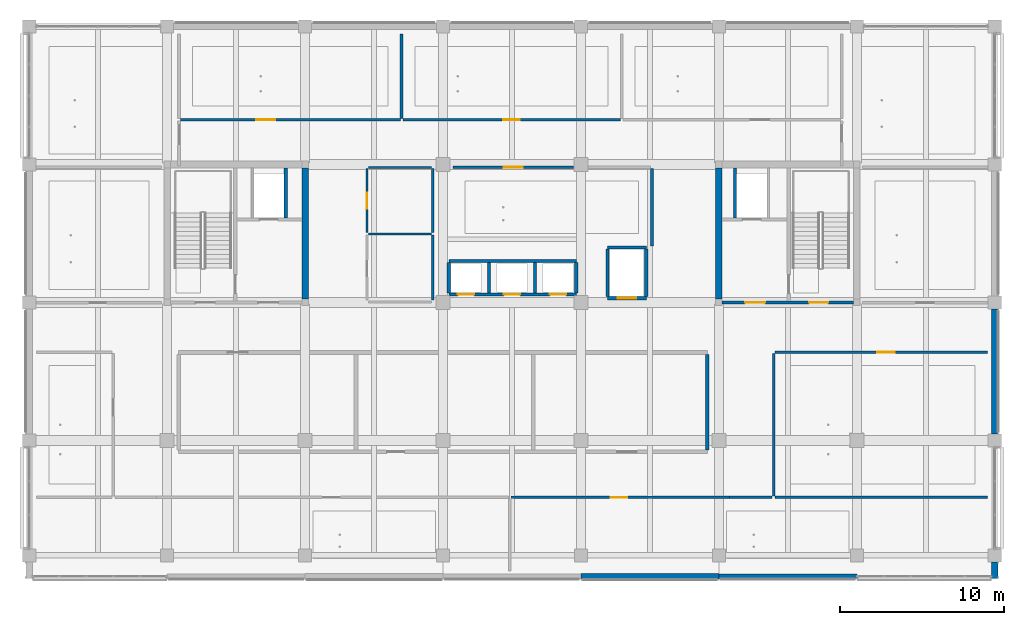
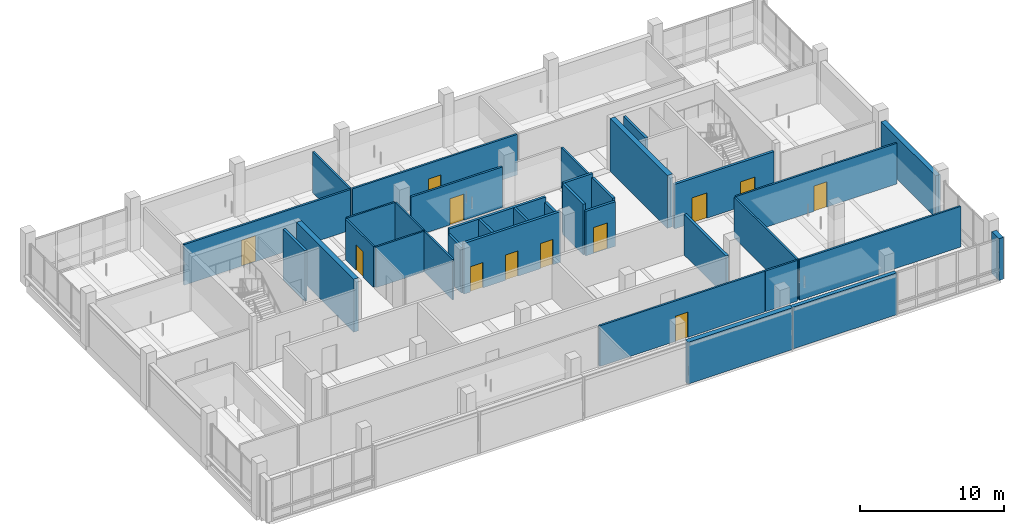
# One storey, part 12 of 35: 35 walls, 12 doors, 12 openings.
"""IFC4 building model written with IfcOpenShell, lengths in metres."""

from ifc_helpers import new_model, si_unit, direction, frame, frame_2d, origin, place, context, subcontext, project, spatial, rectangle, extrude, material, layer, layer_set, type_object, element, fill, save


model = new_model("IFC4")

# Units and contexts
model_context = context("Model", 3, precision=1e-05, world=origin(), true_north=direction((0.0, 1.0)))
body_context = subcontext(model_context, "Body", "Model", "MODEL_VIEW")
ifc_project = project(units=[si_unit("LENGTHUNIT", "METRE"), si_unit("AREAUNIT", "SQUARE_METRE"), si_unit("VOLUMEUNIT", "CUBIC_METRE"), si_unit("PLANEANGLEUNIT", "RADIAN"), si_unit("MASSUNIT", "GRAM", prefix="KILO")], contexts=[model_context])

# Site, building, storey
site_placement = place(None, origin())
site = spatial("IfcSite", under=ifc_project, at=site_placement, CompositionType="ELEMENT")
building_placement = place(site_placement, origin())
building = spatial("IfcBuilding", under=site, at=building_placement, Name="Telukmera Botanical Conservatory", CompositionType="ELEMENT")
storey_placement = place(building_placement, frame((0.0, 0.0, 28.5)))
storey = spatial("IfcBuildingStorey", under=building, at=storey_placement, Name="L06", CompositionType="ELEMENT", Elevation=28.5)

# Walls
ifc_material_1 = material(Name="Terracotta-faced precast concrete C40/50", Category="masonry")
ifc_layer_1 = layer(ifc_material_1, 0.3798828125)
ifc_layer_set_1 = layer_set([ifc_layer_1], Name="Terracotta-faced precast concrete C40/50")
wall_type_1 = type_object("IfcWallType", Name="Exterior Herbarium Vault Insulated Precast Wall 380", PredefinedType="SOLIDWALL", material=ifc_layer_set_1)
wall_1_placement = place(storey_placement, frame((109.199951171875, 9.199951171875, 0.0), z_axis=(0.0, 0.0, 1.0), x_axis=(0.0, 1.0, 0.0)))
element("IfcWall", 1, at=wall_1_placement, inside=storey, type_object=wall_type_1, Name="Exterior Precast Wall EW04 V4:L06:SEC", PredefinedType="SOLIDWALL", context=body_context, shape_type="SweptSolid", body=[
    extrude(rectangle(XDim=0.998046875, YDim=0.3798828125, at=frame_2d((0.4990234375, 0.0))), origin(), (0.0, 0.0, 1.0), 3.550048828125),
])
wall_2_placement = place(storey_placement, frame((84.001953125, 9.320068359375, 0.0), z_axis=(0.0, 0.0, 1.0), x_axis=(1.0, 0.0, 0.0)))
element("IfcWall", 2, at=wall_2_placement, inside=storey, type_object=wall_type_1, Name="Exterior Precast Wall EW04 V4:L06:S5", PredefinedType="SOLIDWALL", context=body_context, shape_type="SweptSolid", body=[
    extrude(rectangle(XDim=8.39599609375, YDim=0.3798828125, at=frame_2d((4.197998046875, 0.0))), origin(), (0.0, 0.0, 1.0), 3.550048828125),
])
wall_3_placement = place(storey_placement, frame((109.199951171875, 18.001953125, 0.0), z_axis=(0.0, 0.0, 1.0), x_axis=(0.0, 1.0, 0.0)))
element("IfcWall", 3, at=wall_3_placement, inside=storey, type_object=wall_type_1, Name="Exterior Precast Wall EW04 V4:L06:E2", PredefinedType="SOLIDWALL", context=body_context, shape_type="SweptSolid", body=[
    extrude(rectangle(XDim=7.595947265625, YDim=0.3798828125, at=frame_2d((3.7978515625, 0.0))), origin(), (0.0, 0.0, 1.0), 3.550048828125),
])
ifc_layer_2 = layer(ifc_material_1, 0.300048828125)
ifc_layer_set_2 = layer_set([ifc_layer_2], Name="Terracotta-faced precast concrete C40/50")
wall_type_2 = type_object("IfcWallType", Name="Exterior Polychrome Terracotta Precast Wall 300", PredefinedType="SOLIDWALL", material=ifc_layer_set_2)
wall_4_placement = place(storey_placement, frame((92.402099609375, 9.320068359375, 0.0), z_axis=(0.0, 0.0, 1.0), x_axis=(1.0, 0.0, 0.0)))
element("IfcWall", 4, at=wall_4_placement, inside=storey, type_object=wall_type_2, Name="Exterior Precast Wall EW02 V4:L06:S6", PredefinedType="SOLIDWALL", context=body_context, shape_type="SweptSolid", body=[
    extrude(rectangle(XDim=8.39599609375, YDim=0.300048828125, at=frame_2d((4.197998046875, 0.0))), origin(), (0.0, 0.0, 1.0), 3.550048828125),
])
ifc_material_2 = material(Name="Concrete C40/50", Category="concrete")
ifc_layer_3 = layer(ifc_material_2, 0.199951171875)
ifc_layer_set_3 = layer_set([ifc_layer_3], Name="Concrete C40/50")
wall_type_3 = type_object("IfcWallType", Name="WT-CORE-200", PredefinedType="SOLIDWALL", material=ifc_layer_set_3)
wall_5_placement = place(storey_placement, frame((66.02001953125, 31.14990234375, 0.0), z_axis=(0.0, 0.0, 1.0), x_axis=(0.0, 1.0, 0.0)))
element("IfcWall", 5, at=wall_5_placement, inside=storey, type_object=wall_type_3, Name="L06 Fire Lift FL1 Shaft East Wall", PredefinedType="SOLIDWALL", context=body_context, shape_type="SweptSolid", body=[
    extrude(rectangle(XDim=3.050048828125, YDim=0.199951171875, at=frame_2d((1.52490234375, 0.0))), origin(), (0.0, 0.0, 1.0), 4.300048828125),
])

# Wall, openings, doors
wall_6_placement = place(storey_placement, frame((92.60009765625, 26.0, 0.0), z_axis=(0.0, 0.0, 1.0), x_axis=(1.0, 0.0, 0.0)))
wall_6 = element("IfcWall", 6, at=wall_6_placement, inside=storey, type_object=wall_type_3, Name="L06 Core C2 South Fire Wall", PredefinedType="SOLIDWALL", context=body_context, shape_type="SweptSolid", body=[
    extrude(rectangle(XDim=8.0, YDim=0.199951171875, at=frame_2d((4.0, 0.0))), origin(), (0.0, 0.0, 1.0), 3.780029296875),
])
opening_1_placement = place(wall_6_placement, frame((1.39990234375, 0.0, 0.0)))
opening_1 = element("IfcOpeningElement", 7, at=opening_1_placement, cuts=wall_6, Name="Opening FD60C", PredefinedType="OPENING", context=body_context, shape_type="SweptSolid", body=[
    extrude(rectangle(XDim=1.219970703125, YDim=2.14990234375, at=frame_2d((0.60986328125, 1.074951171875))), frame((0.0, 0.10986328125, 0.0), z_axis=(0.0, -1.0, 0.0), x_axis=(1.0, 0.0, 0.0)), (0.0, 0.0, 1.0), 0.219970703125),
])
opening_2_placement = place(wall_6_placement, frame((5.300048828125, 0.0, 0.0)))
opening_2 = element("IfcOpeningElement", 8, at=opening_2_placement, cuts=wall_6, Name="Opening FD60A", PredefinedType="OPENING", context=body_context, shape_type="SweptSolid", body=[
    extrude(rectangle(XDim=1.14990234375, YDim=2.14990234375, at=frame_2d((0.574951171875, 1.074951171875))), frame((0.0, 0.10986328125, 0.0), z_axis=(0.0, -1.0, 0.0), x_axis=(1.0, 0.0, 0.0)), (0.0, 0.0, 1.0), 0.219970703125),
])
ifc_material_3 = material(Name="Hardwood fire door", Category="wood")
door_type_1 = type_object("IfcDoorType", Name="DT-FD60-01", OperationType="NOTDEFINED", PredefinedType="DOOR", material=ifc_material_3)
door_1_placement = place(opening_2_placement, origin())
door_1 = element("IfcDoor", 9, at=door_1_placement, inside=storey, type_object=door_type_1, Name="L06 Stair ST2 Escape Door", OperationType="SINGLE_SWING_LEFT", OverallHeight=2.14990234375, OverallWidth=1.14990234375, PredefinedType="DOOR", context=body_context, shape_type="SweptSolid", body=[
    extrude(rectangle(XDim=1.14990234375, YDim=2.14990234375, at=frame_2d((0.574951171875, 1.074951171875))), frame((0.0, 0.02490234375, 0.0), z_axis=(0.0, -1.0, 0.0), x_axis=(1.0, 0.0, 0.0)), (0.0, 0.0, 1.0), 0.050048828125),
])
fill(opening_2, door_1)
door_type_2 = type_object("IfcDoorType", Name="DT-FD60-03", OperationType="NOTDEFINED", PredefinedType="DOOR", material=ifc_material_3)
door_2_placement = place(opening_1_placement, origin())
door_2 = element("IfcDoor", 10, at=door_2_placement, inside=storey, type_object=door_type_2, Name="L06 Firefighting Lobby C2 Door", OperationType="SINGLE_SWING_RIGHT", OverallHeight=2.14990234375, OverallWidth=1.219970703125, PredefinedType="DOOR", context=body_context, shape_type="SweptSolid", body=[
    extrude(rectangle(XDim=1.219970703125, YDim=2.14990234375, at=frame_2d((0.60986328125, 1.074951171875))), frame((0.0, 0.02490234375, 0.0), z_axis=(0.0, -1.0, 0.0), x_axis=(1.0, 0.0, 0.0)), (0.0, 0.0, 1.0), 0.050048828125),
])
fill(opening_1, door_2)

# Wall
wall_7_placement = place(storey_placement, frame((93.3798828125, 31.14990234375, 0.0), z_axis=(0.0, 0.0, 1.0), x_axis=(0.0, 1.0, 0.0)))
element("IfcWall", 11, at=wall_7_placement, inside=storey, type_object=wall_type_3, Name="L06 Fire Lift FL2 Shaft West Wall", PredefinedType="SOLIDWALL", context=body_context, shape_type="SweptSolid", body=[
    extrude(rectangle(XDim=3.050048828125, YDim=0.199951171875, at=frame_2d((1.52490234375, 0.0))), origin(), (0.0, 0.0, 1.0), 4.300048828125),
])

# Wall, openings, doors
wall_8_placement = place(storey_placement, frame((75.949951171875, 26.47998046875, 0.0), z_axis=(0.0, 0.0, 1.0), x_axis=(1.0, 0.0, 0.0)))
wall_8 = element("IfcWall", 12, at=wall_8_placement, inside=storey, type_object=wall_type_3, Name="L06 Passenger Lift Bank Front Wall", PredefinedType="SOLIDWALL", context=body_context, shape_type="SweptSolid", body=[
    extrude(rectangle(XDim=7.77001953125, YDim=0.199951171875, at=frame_2d((3.885009765625, 0.0))), origin(), (0.0, 0.0, 1.0), 4.300048828125),
])
opening_3_placement = place(wall_8_placement, frame((0.550048828125, 0.0, 0.0)))
opening_3 = element("IfcOpeningElement", 13, at=opening_3_placement, cuts=wall_8, Name="Opening LD03", PredefinedType="OPENING", context=body_context, shape_type="SweptSolid", body=[
    extrude(rectangle(XDim=1.0, YDim=2.14990234375, at=frame_2d((0.5, 1.074951171875))), frame((0.0, 0.10986328125, 0.0), z_axis=(0.0, -1.0, 0.0), x_axis=(1.0, 0.0, 0.0)), (0.0, 0.0, 1.0), 0.219970703125),
])
opening_4_placement = place(wall_8_placement, frame((3.35009765625, 0.0, 0.0)))
opening_4 = element("IfcOpeningElement", 14, at=opening_4_placement, cuts=wall_8, Name="Opening LD03", PredefinedType="OPENING", context=body_context, shape_type="SweptSolid", body=[
    extrude(rectangle(XDim=1.0, YDim=2.14990234375, at=frame_2d((0.5, 1.074951171875))), frame((0.0, 0.10986328125, 0.0), z_axis=(0.0, -1.0, 0.0), x_axis=(1.0, 0.0, 0.0)), (0.0, 0.0, 1.0), 0.219970703125),
])
opening_5_placement = place(wall_8_placement, frame((6.14990234375, 0.0, 0.0)))
opening_5 = element("IfcOpeningElement", 15, at=opening_5_placement, cuts=wall_8, Name="Opening LD03", PredefinedType="OPENING", context=body_context, shape_type="SweptSolid", body=[
    extrude(rectangle(XDim=1.0, YDim=2.14990234375, at=frame_2d((0.5, 1.074951171875))), frame((0.0, 0.10986328125, 0.0), z_axis=(0.0, -1.0, 0.0), x_axis=(1.0, 0.0, 0.0)), (0.0, 0.0, 1.0), 0.219970703125),
])
ifc_material_4 = material(Name="Stainless steel 316", Category="steel")
door_type_3 = type_object("IfcDoorType", Name="DT-LD03", OperationType="SLIDING_TO_LEFT", PredefinedType="DOOR", material=ifc_material_4)
door_3_placement = place(opening_3_placement, frame((1.0, 0.0, 0.0), z_axis=(0.0, 0.0, 1.0), x_axis=(-1.0, 0.0, 0.0)))
door_3 = element("IfcDoor", 16, at=door_3_placement, inside=storey, type_object=door_type_3, Name="L06 Lift Landing Door PL1", OperationType="SLIDING_TO_LEFT", OverallHeight=2.14990234375, OverallWidth=1.0, PredefinedType="DOOR", context=body_context, shape_type="SweptSolid", body=[
    extrude(rectangle(XDim=1.0, YDim=2.14990234375, at=frame_2d((0.5, 1.074951171875))), frame((0.0, 0.02490234375, 0.0), z_axis=(0.0, -1.0, 0.0), x_axis=(1.0, 0.0, 0.0)), (0.0, 0.0, 1.0), 0.050048828125),
])
fill(opening_3, door_3)
door_4_placement = place(opening_4_placement, frame((1.0, 0.0, 0.0), z_axis=(0.0, 0.0, 1.0), x_axis=(-1.0, 0.0, 0.0)))
door_4 = element("IfcDoor", 17, at=door_4_placement, inside=storey, type_object=door_type_3, Name="L06 Lift Landing Door PL2", OperationType="SLIDING_TO_LEFT", OverallHeight=2.14990234375, OverallWidth=1.0, PredefinedType="DOOR", context=body_context, shape_type="SweptSolid", body=[
    extrude(rectangle(XDim=1.0, YDim=2.14990234375, at=frame_2d((0.5, 1.074951171875))), frame((0.0, 0.02490234375, 0.0), z_axis=(0.0, -1.0, 0.0), x_axis=(1.0, 0.0, 0.0)), (0.0, 0.0, 1.0), 0.050048828125),
])
fill(opening_4, door_4)
door_5_placement = place(opening_5_placement, frame((1.0, 0.0, 0.0), z_axis=(0.0, 0.0, 1.0), x_axis=(-1.0, 0.0, 0.0)))
door_5 = element("IfcDoor", 18, at=door_5_placement, inside=storey, type_object=door_type_3, Name="L06 Lift Landing Door PL3", OperationType="SLIDING_TO_LEFT", OverallHeight=2.14990234375, OverallWidth=1.0, PredefinedType="DOOR", context=body_context, shape_type="SweptSolid", body=[
    extrude(rectangle(XDim=1.0, YDim=2.14990234375, at=frame_2d((0.5, 1.074951171875))), frame((0.0, 0.02490234375, 0.0), z_axis=(0.0, -1.0, 0.0), x_axis=(1.0, 0.0, 0.0)), (0.0, 0.0, 1.0), 0.050048828125),
])
fill(opening_5, door_5)

# Walls
wall_9_placement = place(storey_placement, frame((75.949951171875, 28.52001953125, 0.0), z_axis=(0.0, 0.0, 1.0), x_axis=(1.0, 0.0, 0.0)))
element("IfcWall", 19, at=wall_9_placement, inside=storey, type_object=wall_type_3, Name="L06 Passenger Lift Bank Rear Wall", PredefinedType="SOLIDWALL", context=body_context, shape_type="SweptSolid", body=[
    extrude(rectangle(XDim=7.77001953125, YDim=0.199951171875, at=frame_2d((3.885009765625, 0.0))), origin(), (0.0, 0.0, 1.0), 4.300048828125),
])
wall_10_placement = place(storey_placement, frame((75.949951171875, 26.580078125, 0.0), z_axis=(0.0, 0.0, 1.0), x_axis=(0.0, 1.0, 0.0)))
element("IfcWall", 20, at=wall_10_placement, inside=storey, type_object=wall_type_3, Name="L06 Passenger Lift Shaft Wall 1", PredefinedType="SOLIDWALL", context=body_context, shape_type="SweptSolid", body=[
    extrude(rectangle(XDim=1.83984375, YDim=0.199951171875, at=frame_2d((0.919921875, 0.0))), origin(), (0.0, 0.0, 1.0), 3.8798828125),
])
for number, where, z_axis, x_axis, name in (
    (21, (78.39990234375, 26.580078125, 0.0), (0.0, 0.0, 1.0), (0.0, 1.0, 0.0), "L06 Passenger Lift Shaft Wall 2"),
    (22, (81.199951171875, 26.580078125, 0.0), (0.0, 0.0, 1.0), (0.0, 1.0, 0.0), "L06 Passenger Lift Shaft Wall 3"),
):
    element("IfcWall", number, at=place(storey_placement, frame(where, z_axis=z_axis, x_axis=x_axis)), inside=storey, type_object=wall_type_3, Name=name, PredefinedType="SOLIDWALL", context=body_context, shape_type="SweptSolid", body=[
        extrude(rectangle(XDim=1.83984375, YDim=0.199951171875, at=frame_2d((0.919921875, 0.0))), origin(), (0.0, 0.0, 1.0), 4.300048828125),
    ])
wall_11_placement = place(storey_placement, frame((83.719970703125, 26.580078125, 0.0), z_axis=(0.0, 0.0, 1.0), x_axis=(0.0, 1.0, 0.0)))
element("IfcWall", 23, at=wall_11_placement, inside=storey, type_object=wall_type_3, Name="L06 Passenger Lift Shaft Wall 4", PredefinedType="SOLIDWALL", context=body_context, shape_type="SweptSolid", body=[
    extrude(rectangle(XDim=1.83984375, YDim=0.199951171875, at=frame_2d((0.919921875, 0.0))), origin(), (0.0, 0.0, 1.0), 3.8798828125),
])

# Wall, opening, door
wall_12_placement = place(storey_placement, frame((85.6201171875, 26.25, 0.0), z_axis=(0.0, 0.0, 1.0), x_axis=(1.0, 0.0, 0.0)))
wall_12 = element("IfcWall", 24, at=wall_12_placement, inside=storey, type_object=wall_type_3, Name="L06 Goods Lift GL1 Front Wall", PredefinedType="SOLIDWALL", context=body_context, shape_type="SweptSolid", body=[
    extrude(rectangle(XDim=2.35986328125, YDim=0.199951171875, at=frame_2d((1.179931640625, 0.0))), origin(), (0.0, 0.0, 1.0), 3.780029296875),
])
opening_6_placement = place(wall_12_placement, frame((0.60498046875, 0.0, 0.0)))
opening_6 = element("IfcOpeningElement", 25, at=opening_6_placement, cuts=wall_12, Name="Opening LD02", PredefinedType="OPENING", context=body_context, shape_type="SweptSolid", body=[
    extrude(rectangle(XDim=1.14990234375, YDim=2.199951171875, at=frame_2d((0.574951171875, 1.10009765625))), frame((0.0, 0.10986328125, 0.0), z_axis=(0.0, -1.0, 0.0), x_axis=(1.0, 0.0, 0.0)), (0.0, 0.0, 1.0), 0.219970703125),
])
door_type_4 = type_object("IfcDoorType", Name="DT-LD02", OperationType="SLIDING_TO_LEFT", PredefinedType="DOOR", material=ifc_material_4)
door_6_placement = place(opening_6_placement, frame((1.14990234375, 0.0, 0.0), z_axis=(0.0, 0.0, 1.0), x_axis=(-1.0, 0.0, 0.0)))
door_6 = element("IfcDoor", 26, at=door_6_placement, inside=storey, type_object=door_type_4, Name="L06 Lift Landing Door GL1", OperationType="SLIDING_TO_LEFT", OverallHeight=2.199951171875, OverallWidth=1.14990234375, PredefinedType="DOOR", context=body_context, shape_type="SweptSolid", body=[
    extrude(rectangle(XDim=1.14990234375, YDim=2.199951171875, at=frame_2d((0.574951171875, 1.10009765625))), frame((0.0, 0.02490234375, 0.0), z_axis=(0.0, -1.0, 0.0), x_axis=(1.0, 0.0, 0.0)), (0.0, 0.0, 1.0), 0.050048828125),
])
fill(opening_6, door_6)

# Walls
wall_13_placement = place(storey_placement, frame((85.6201171875, 29.35009765625, 0.0), z_axis=(0.0, 0.0, 1.0), x_axis=(1.0, 0.0, 0.0)))
element("IfcWall", 27, at=wall_13_placement, inside=storey, type_object=wall_type_3, Name="L06 Goods Lift GL1 Rear Wall", PredefinedType="SOLIDWALL", context=body_context, shape_type="SweptSolid", body=[
    extrude(rectangle(XDim=2.35986328125, YDim=0.199951171875, at=frame_2d((1.179931640625, 0.0))), origin(), (0.0, 0.0, 1.0), 4.300048828125),
])
wall_14_placement = place(storey_placement, frame((85.6201171875, 26.35009765625, 0.0), z_axis=(0.0, 0.0, 1.0), x_axis=(0.0, 1.0, 0.0)))
element("IfcWall", 28, at=wall_14_placement, inside=storey, type_object=wall_type_3, Name="L06 Goods Lift GL1 Side Wall 1", PredefinedType="SOLIDWALL", context=body_context, shape_type="SweptSolid", body=[
    extrude(rectangle(XDim=2.89990234375, YDim=0.199951171875, at=frame_2d((1.449951171875, 0.0))), origin(), (0.0, 0.0, 1.0), 4.300048828125),
])
wall_15_placement = place(storey_placement, frame((87.97998046875, 26.35009765625, 0.0), z_axis=(0.0, 0.0, 1.0), x_axis=(0.0, 1.0, 0.0)))
element("IfcWall", 29, at=wall_15_placement, inside=storey, type_object=wall_type_3, Name="L06 Goods Lift GL1 Side Wall 2", PredefinedType="SOLIDWALL", context=body_context, shape_type="SweptSolid", body=[
    extrude(rectangle(XDim=2.89990234375, YDim=0.199951171875, at=frame_2d((1.449951171875, 0.0))), origin(), (0.0, 0.0, 1.0), 3.97998046875),
])
ifc_material_5 = material(Name="Gypsum acoustic stud partition")
ifc_layer_4 = layer(ifc_material_5, 0.159912109375)
ifc_layer_set_4 = layer_set([ifc_layer_4], Name="Gypsum acoustic stud partition")
wall_type_4 = type_object("IfcWallType", Name="WT-LAB-160", PredefinedType="PARTITIONING", material=ifc_layer_set_4)
wall_16_placement = place(storey_placement, frame((88.324951171875, 29.449951171875, 0.0), z_axis=(0.0, 0.0, 1.0), x_axis=(0.0, 1.0, 0.0)))
element("IfcWall", 30, at=wall_16_placement, inside=storey, type_object=wall_type_4, Name="L06 Interior Partition 06", PredefinedType="PARTITIONING", context=body_context, shape_type="SweptSolid", body=[
    extrude(rectangle(XDim=4.699951171875, YDim=0.159912109375, at=frame_2d((2.35009765625, 0.0))), origin(), (0.0, 0.0, 1.0), 3.449951171875),
])

# Wall, opening, door
wall_17_placement = place(storey_placement, frame((76.199951171875, 34.22509765625, 0.0), z_axis=(0.0, 0.0, 1.0), x_axis=(1.0, 0.0, 0.0)))
wall_17 = element("IfcWall", 31, at=wall_17_placement, inside=storey, type_object=wall_type_4, Name="L06 Interior Partition 07", PredefinedType="PARTITIONING", context=body_context, shape_type="SweptSolid", body=[
    extrude(rectangle(XDim=7.344970703125, YDim=0.159912109375, at=frame_2d((3.67236328125, 0.0))), origin(), (0.0, 0.0, 1.0), 3.449951171875),
])
opening_7_placement = place(wall_17_placement, frame((3.1025390625, 0.0, 0.0)))
opening_7 = element("IfcOpeningElement", 32, at=opening_7_placement, cuts=wall_17, Name="Opening ID10", PredefinedType="OPENING", context=body_context, shape_type="SweptSolid", body=[
    extrude(rectangle(XDim=1.139892578125, YDim=2.219970703125, at=frame_2d((0.56982421875, 1.10986328125))), frame((0.0, 0.08984375, 0.0), z_axis=(0.0, -1.0, 0.0), x_axis=(1.0, 0.0, 0.0)), (0.0, 0.0, 1.0), 0.179931640625),
])
ifc_material_6 = material(Name="Sealed steel herbarium door", Category="steel")
door_type_5 = type_object("IfcDoorType", Name="DT-HERB-114", OperationType="NOTDEFINED", PredefinedType="DOOR", material=ifc_material_6)
door_7_placement = place(opening_7_placement, frame((1.139892578125, 0.0, 0.0), z_axis=(0.0, 0.0, 1.0), x_axis=(-1.0, 0.0, 0.0)))
door_7 = element("IfcDoor", 33, at=door_7_placement, inside=storey, type_object=door_type_5, Name="L06 Botanical Archive Conservation Room Door", OperationType="SINGLE_SWING_LEFT", OverallHeight=2.219970703125, OverallWidth=1.139892578125, PredefinedType="DOOR", context=body_context, shape_type="SweptSolid", body=[
    extrude(rectangle(XDim=1.139892578125, YDim=2.219970703125, at=frame_2d((0.56982421875, 1.10986328125))), frame((0.0, 0.02490234375, 0.0), z_axis=(0.0, -1.0, 0.0), x_axis=(1.0, 0.0, 0.0)), (0.0, 0.0, 1.0), 0.050048828125),
])
fill(opening_7, door_7)

wall_18_placement = place(storey_placement, frame((59.614990234375, 37.125, 0.0), z_axis=(0.0, 0.0, 1.0), x_axis=(1.0, 0.0, 0.0)))
wall_18 = element("IfcWall", 34, at=wall_18_placement, inside=storey, type_object=wall_type_4, Name="L06 Interior Partition 25", PredefinedType="PARTITIONING", context=body_context, shape_type="SweptSolid", body=[
    extrude(rectangle(XDim=13.385009765625, YDim=0.159912109375, at=frame_2d((6.6923828125, 0.0))), origin(), (0.0, 0.0, 1.0), 3.449951171875),
])
opening_8_placement = place(wall_18_placement, frame((4.609375, 0.0, 0.0)))
opening_8 = element("IfcOpeningElement", 35, at=opening_8_placement, cuts=wall_18, Name="Opening ID09", PredefinedType="OPENING", context=body_context, shape_type="SweptSolid", body=[
    extrude(rectangle(XDim=1.159912109375, YDim=2.199951171875, at=frame_2d((0.580078125, 1.10009765625))), frame((0.0, 0.08984375, 0.0), z_axis=(0.0, -1.0, 0.0), x_axis=(1.0, 0.0, 0.0)), (0.0, 0.0, 1.0), 0.179931640625),
])
ifc_material_7 = material(Name="Phenolic faced laboratory fire door")
door_type_6 = type_object("IfcDoorType", Name="DT-LAB-116", OperationType="NOTDEFINED", PredefinedType="DOOR", material=ifc_material_7)
door_8_placement = place(opening_8_placement, origin())
door_8 = element("IfcDoor", 36, at=door_8_placement, inside=storey, type_object=door_type_6, Name="L06 Seed Morphology Laboratory Door", OperationType="SINGLE_SWING_LEFT", OverallHeight=2.199951171875, OverallWidth=1.159912109375, PredefinedType="DOOR", context=body_context, shape_type="SweptSolid", body=[
    extrude(rectangle(XDim=1.159912109375, YDim=2.199951171875, at=frame_2d((0.580078125, 1.10009765625))), frame((0.0, 0.02490234375, 0.0), z_axis=(0.0, -1.0, 0.0), x_axis=(1.0, 0.0, 0.0)), (0.0, 0.0, 1.0), 0.050048828125),
])
fill(opening_8, door_8)

# Wall
wall_19_placement = place(storey_placement, frame((73.074951171875, 37.215087890625, 0.0), z_axis=(0.0, 0.0, 1.0), x_axis=(0.0, 1.0, 0.0)))
element("IfcWall", 37, at=wall_19_placement, inside=storey, type_object=wall_type_4, Name="L06 Interior Partition 30", PredefinedType="PARTITIONING", context=body_context, shape_type="SweptSolid", body=[
    extrude(rectangle(XDim=5.135009765625, YDim=0.159912109375, at=frame_2d((2.5673828125, 0.0))), origin(), (0.0, 0.0, 1.0), 3.449951171875),
])

# Wall, opening, door
ifc_layer_5 = layer(ifc_material_5, 0.14990234375)
ifc_layer_set_5 = layer_set([ifc_layer_5], Name="Gypsum acoustic stud partition")
wall_type_5 = type_object("IfcWallType", Name="WT-STD-150", PredefinedType="PARTITIONING", material=ifc_layer_set_5)
wall_20_placement = place(storey_placement, frame((95.800048828125, 22.97509765625, 0.0), z_axis=(0.0, 0.0, 1.0), x_axis=(1.0, 0.0, 0.0)))
wall_20 = element("IfcWall", 38, at=wall_20_placement, inside=storey, type_object=wall_type_5, Name="L06 Interior Partition 14", PredefinedType="PARTITIONING", context=body_context, shape_type="SweptSolid", body=[
    extrude(rectangle(XDim=12.949951171875, YDim=0.14990234375, at=frame_2d((6.47509765625, 0.0))), origin(), (0.0, 0.0, 1.0), 3.449951171875),
])
opening_9_placement = place(wall_20_placement, frame((6.25537109375, 0.0, 0.0)))
opening_9 = element("IfcOpeningElement", 39, at=opening_9_placement, cuts=wall_20, Name="Opening ID13", PredefinedType="OPENING", context=body_context, shape_type="SweptSolid", body=[
    extrude(rectangle(XDim=1.0400390625, YDim=2.14990234375, at=frame_2d((0.52001953125, 1.074951171875))), frame((0.0, 0.0849609375, 0.0), z_axis=(0.0, -1.0, 0.0), x_axis=(1.0, 0.0, 0.0)), (0.0, 0.0, 1.0), 0.169921875),
])
ifc_material_8 = material(Name="Hardwood curation studio door", Category="wood")
door_type_7 = type_object("IfcDoorType", Name="DT-CUR-104", OperationType="NOTDEFINED", PredefinedType="DOOR", material=ifc_material_8)
door_9_placement = place(opening_9_placement, frame((1.0400390625, 0.0, 0.0), z_axis=(0.0, 0.0, 1.0), x_axis=(-1.0, 0.0, 0.0)))
door_9 = element("IfcDoor", 40, at=door_9_placement, inside=storey, type_object=door_type_7, Name="L06 East Herbarium Curation Studio Door", OperationType="SINGLE_SWING_LEFT", OverallHeight=2.14990234375, OverallWidth=1.0400390625, PredefinedType="DOOR", context=body_context, shape_type="SweptSolid", body=[
    extrude(rectangle(XDim=1.0400390625, YDim=2.14990234375, at=frame_2d((0.52001953125, 1.074951171875))), frame((0.0, 0.02490234375, 0.0), z_axis=(0.0, -1.0, 0.0), x_axis=(1.0, 0.0, 0.0)), (0.0, 0.0, 1.0), 0.050048828125),
])
fill(opening_9, door_9)

# Walls
wall_21_placement = place(storey_placement, frame((95.72509765625, 14.199951171875, 0.0), z_axis=(0.0, 0.0, 1.0), x_axis=(0.0, 1.0, 0.0)))
element("IfcWall", 41, at=wall_21_placement, inside=storey, type_object=wall_type_5, Name="L06 Interior Partition 17", PredefinedType="PARTITIONING", context=body_context, shape_type="SweptSolid", body=[
    extrude(rectangle(XDim=8.68994140625, YDim=0.14990234375, at=frame_2d((4.344970703125, 0.0))), origin(), (0.0, 0.0, 1.0), 3.449951171875),
])
wall_22_placement = place(storey_placement, frame((93.050048828125, 14.125, 0.0), z_axis=(0.0, 0.0, 1.0), x_axis=(1.0, 0.0, 0.0)))
element("IfcWall", 42, at=wall_22_placement, inside=storey, type_object=wall_type_5, Name="L06 Interior Partition 18", PredefinedType="PARTITIONING", context=body_context, shape_type="SweptSolid", body=[
    extrude(rectangle(XDim=2.58984375, YDim=0.14990234375, at=frame_2d((1.294921875, 0.0))), origin(), (0.0, 0.0, 1.0), 3.449951171875),
])

# Wall, opening, door
wall_23_placement = place(storey_placement, frame((79.75, 14.125, 0.0), z_axis=(0.0, 0.0, 1.0), x_axis=(1.0, 0.0, 0.0)))
wall_23 = element("IfcWall", 43, at=wall_23_placement, inside=storey, type_object=wall_type_5, Name="L06 Interior Partition 20", PredefinedType="PARTITIONING", context=body_context, shape_type="SweptSolid", body=[
    extrude(rectangle(XDim=13.2900390625, YDim=0.14990234375, at=frame_2d((6.64501953125, 0.0))), origin(), (0.0, 0.0, 1.0), 3.449951171875),
])
opening_10_placement = place(wall_23_placement, frame((6.0703125, 0.0, 0.0)))
opening_10 = element("IfcOpeningElement", 44, at=opening_10_placement, cuts=wall_23, Name="Opening ID14", PredefinedType="OPENING", context=body_context, shape_type="SweptSolid", body=[
    extrude(rectangle(XDim=1.0, YDim=2.14990234375, at=frame_2d((0.5, 1.074951171875))), frame((0.0, 0.0849609375, 0.0), z_axis=(0.0, -1.0, 0.0), x_axis=(1.0, 0.0, 0.0)), (0.0, 0.0, 1.0), 0.169921875),
])
ifc_material_9 = material(Name="Acoustic timber office door", Category="wood")
door_type_8 = type_object("IfcDoorType", Name="DT-WRT-100", OperationType="NOTDEFINED", PredefinedType="DOOR", material=ifc_material_9)
door_10_placement = place(opening_10_placement, frame((1.0, 0.0, 0.0), z_axis=(0.0, 0.0, 1.0), x_axis=(-1.0, 0.0, 0.0)))
door_10 = element("IfcDoor", 45, at=door_10_placement, inside=storey, type_object=door_type_8, Name="L06 Botanical Monograph Write-Up Studio Door", OperationType="SINGLE_SWING_LEFT", OverallHeight=2.14990234375, OverallWidth=1.0, PredefinedType="DOOR", context=body_context, shape_type="SweptSolid", body=[
    extrude(rectangle(XDim=1.0, YDim=2.14990234375, at=frame_2d((0.5, 1.074951171875))), frame((0.0, 0.02490234375, 0.0), z_axis=(0.0, -1.0, 0.0), x_axis=(1.0, 0.0, 0.0)), (0.0, 0.0, 1.0), 0.050048828125),
])
fill(opening_10, door_10)

# Wall
wall_24_placement = place(storey_placement, frame((95.81005859375, 14.125, 0.0), z_axis=(0.0, 0.0, 1.0), x_axis=(1.0, 0.0, 0.0)))
element("IfcWall", 46, at=wall_24_placement, inside=storey, type_object=wall_type_5, Name="L06 Interior Partition 22", PredefinedType="PARTITIONING", context=body_context, shape_type="SweptSolid", body=[
    extrude(rectangle(XDim=12.93994140625, YDim=0.14990234375, at=frame_2d((6.469970703125, 0.0))), origin(), (0.0, 0.0, 1.0), 3.449951171875),
])

# Wall, opening, door
wall_25_placement = place(storey_placement, frame((73.14990234375, 37.125, 0.0), z_axis=(0.0, 0.0, 1.0), x_axis=(1.0, 0.0, 0.0)))
wall_25 = element("IfcWall", 47, at=wall_25_placement, inside=storey, type_object=wall_type_5, Name="L06 Interior Partition 26", PredefinedType="PARTITIONING", context=body_context, shape_type="SweptSolid", body=[
    extrude(rectangle(XDim=13.25, YDim=0.14990234375, at=frame_2d((6.625, 0.0))), origin(), (0.0, 0.0, 1.0), 3.449951171875),
])
opening_11_placement = place(wall_25_placement, frame((6.125, 0.0, 0.0)))
opening_11 = element("IfcOpeningElement", 48, at=opening_11_placement, cuts=wall_25, Name="Opening ID14", PredefinedType="OPENING", context=body_context, shape_type="SweptSolid", body=[
    extrude(rectangle(XDim=1.0, YDim=2.14990234375, at=frame_2d((0.5, 1.074951171875))), frame((0.0, 0.0849609375, 0.0), z_axis=(0.0, -1.0, 0.0), x_axis=(1.0, 0.0, 0.0)), (0.0, 0.0, 1.0), 0.169921875),
])
door_11_placement = place(opening_11_placement, origin())
door_11 = element("IfcDoor", 49, at=door_11_placement, inside=storey, type_object=door_type_8, Name="L06 Herbarium Digitization Studio Door", OperationType="SINGLE_SWING_RIGHT", OverallHeight=2.14990234375, OverallWidth=1.0, PredefinedType="DOOR", context=body_context, shape_type="SweptSolid", body=[
    extrude(rectangle(XDim=1.0, YDim=2.14990234375, at=frame_2d((0.5, 1.074951171875))), frame((0.0, 0.02490234375, 0.0), z_axis=(0.0, -1.0, 0.0), x_axis=(1.0, 0.0, 0.0)), (0.0, 0.0, 1.0), 0.050048828125),
])
fill(opening_11, door_11)

# Wall
ifc_layer_6 = layer(ifc_material_2, 0.219970703125)
ifc_layer_set_6 = layer_set([ifc_layer_6], Name="Concrete C40/50")
wall_type_6 = type_object("IfcWallType", Name="WT-VAULT-220", PredefinedType="SOLIDWALL", material=ifc_layer_set_6)
wall_26_placement = place(storey_placement, frame((91.699951171875, 17.010009765625, 0.0), z_axis=(0.0, 0.0, 1.0), x_axis=(0.0, 1.0, 0.0)))
element("IfcWall", 50, at=wall_26_placement, inside=storey, type_object=wall_type_6, Name="L06 Herbarium Vault East 2hr Wall", PredefinedType="SOLIDWALL", context=body_context, shape_type="SweptSolid", body=[
    extrude(rectangle(XDim=5.830078125, YDim=0.219970703125, at=frame_2d((2.9150390625, 0.0))), origin(), (0.0, 0.0, 1.0), 3.449951171875),
])

# Wall, opening, door
ifc_material_10 = material(Name="Moisture-resistant blockwork", Category="masonry")
ifc_layer_7 = layer(ifc_material_10, 0.135009765625)
ifc_layer_set_7 = layer_set([ifc_layer_7], Name="Moisture-resistant blockwork")
wall_type_7 = type_object("IfcWallType", Name="WT-WC-135", PredefinedType="PARTITIONING", material=ifc_layer_set_7)
wall_27_placement = place(storey_placement, frame((70.97509765625, 30.25, 0.0), z_axis=(0.0, 0.0, 1.0), x_axis=(0.0, 1.0, 0.0)))
wall_27 = element("IfcWall", 51, at=wall_27_placement, inside=storey, type_object=wall_type_7, Name="L06 Interior Partition 02", PredefinedType="PARTITIONING", context=body_context, shape_type="SweptSolid", body=[
    extrude(rectangle(XDim=3.89990234375, YDim=0.135009765625, at=frame_2d((1.949951171875, 0.0))), origin(), (0.0, 0.0, 1.0), 3.449951171875),
])
opening_12_placement = place(wall_27_placement, frame((1.4599609375, 0.0, 0.0)))
opening_12 = element("IfcOpeningElement", 52, at=opening_12_placement, cuts=wall_27, Name="Opening ID15", PredefinedType="OPENING", context=body_context, shape_type="SweptSolid", body=[
    extrude(rectangle(XDim=0.97998046875, YDim=2.14990234375, at=frame_2d((0.489990234375, 1.074951171875))), frame((0.0, 0.077392578125, 0.0), z_axis=(0.0, -1.0, 0.0), x_axis=(1.0, 0.0, 0.0)), (0.0, 0.0, 1.0), 0.155029296875),
])
ifc_material_11 = material(Name="Accessible sanitary laminate door")
door_type_9 = type_object("IfcDoorType", Name="DT-OKU-098", OperationType="NOTDEFINED", PredefinedType="DOOR", material=ifc_material_11)
door_12_placement = place(opening_12_placement, origin())
door_12 = element("IfcDoor", 53, at=door_12_placement, inside=storey, type_object=door_type_9, Name="L06 Accessible WC Door", OperationType="SINGLE_SWING_RIGHT", OverallHeight=2.14990234375, OverallWidth=0.97998046875, PredefinedType="DOOR", context=body_context, shape_type="SweptSolid", body=[
    extrude(rectangle(XDim=0.97998046875, YDim=2.14990234375, at=frame_2d((0.489990234375, 1.074951171875))), frame((0.0, 0.02490234375, 0.0), z_axis=(0.0, -1.0, 0.0), x_axis=(1.0, 0.0, 0.0)), (0.0, 0.0, 1.0), 0.050048828125),
])
fill(opening_12, door_12)

# Walls
for number, where, z_axis, x_axis, name in (
    (54, (71.050048828125, 30.175048828125, 0.0), (0.0, 0.0, 1.0), (1.0, 0.0, 0.0), "L06 Interior Partition 03"),
    (55, (71.050048828125, 34.22509765625, 0.0), (0.0, 0.0, 1.0), (1.0, 0.0, 0.0), "L06 Interior Partition 05"),
):
    element("IfcWall", number, at=place(storey_placement, frame(where, z_axis=z_axis, x_axis=x_axis)), inside=storey, type_object=wall_type_7, Name=name, PredefinedType="PARTITIONING", context=body_context, shape_type="SweptSolid", body=[
        extrude(rectangle(XDim=3.849853515625, YDim=0.135009765625, at=frame_2d((1.9248046875, 0.0))), origin(), (0.0, 0.0, 1.0), 3.449951171875),
    ])
wall_28_placement = place(storey_placement, frame((74.967529296875, 26.14990234375, 0.0), z_axis=(0.0, 0.0, 1.0), x_axis=(0.0, 1.0, 0.0)))
element("IfcWall", 56, at=wall_28_placement, inside=storey, type_object=wall_type_7, Name="L06 WC Enclosure Partition 01", PredefinedType="PARTITIONING", context=body_context, shape_type="SweptSolid", body=[
    extrude(rectangle(XDim=3.947509765625, YDim=0.135009765625, at=frame_2d((1.9736328125, 0.0))), origin(), (0.0, 0.0, 1.0), 3.449951171875),
])
wall_29_placement = place(storey_placement, frame((74.967529296875, 30.25244140625, 0.0), z_axis=(0.0, 0.0, 1.0), x_axis=(0.0, 1.0, 0.0)))
element("IfcWall", 57, at=wall_29_placement, inside=storey, type_object=wall_type_7, Name="L06 WC Enclosure Partition 02", PredefinedType="PARTITIONING", context=body_context, shape_type="SweptSolid", body=[
    extrude(rectangle(XDim=3.89501953125, YDim=0.135009765625, at=frame_2d((1.947509765625, 0.0))), origin(), (0.0, 0.0, 1.0), 3.449951171875),
])
ifc_material_12 = material(Name="Concrete C50/60", Category="concrete")
ifc_layer_8 = layer(ifc_material_12, 0.39990234375)
ifc_layer_set_8 = layer_set([ifc_layer_8], Name="Concrete C50/60")
wall_type_8 = type_object("IfcWallType", Name="Wall_CW1", PredefinedType="SHEAR", material=ifc_layer_set_8)
for number, where, z_axis, x_axis, name in (
    (58, (67.199951171875, 26.199951171875, 0.0), (0.0, 0.0, 1.0), (0.0, 1.0, 0.0), "Core C1 Shear Wall East L06"),
    (59, (92.39990234375, 26.199951171875, 0.0), (0.0, 0.0, 1.0), (0.0, 1.0, 0.0), "Core C2 Shear Wall West L06"),
):
    element("IfcWall", number, at=place(storey_placement, frame(where, z_axis=z_axis, x_axis=x_axis)), inside=storey, type_object=wall_type_8, Name=name, PredefinedType="SHEAR", context=body_context, shape_type="SweptSolid", body=[
        extrude(rectangle(XDim=8.0, YDim=0.39990234375, at=frame_2d((4.0, 0.0))), origin(), (0.0, 0.0, 1.0), 4.5),
    ])

save(model, "model.ifc")
